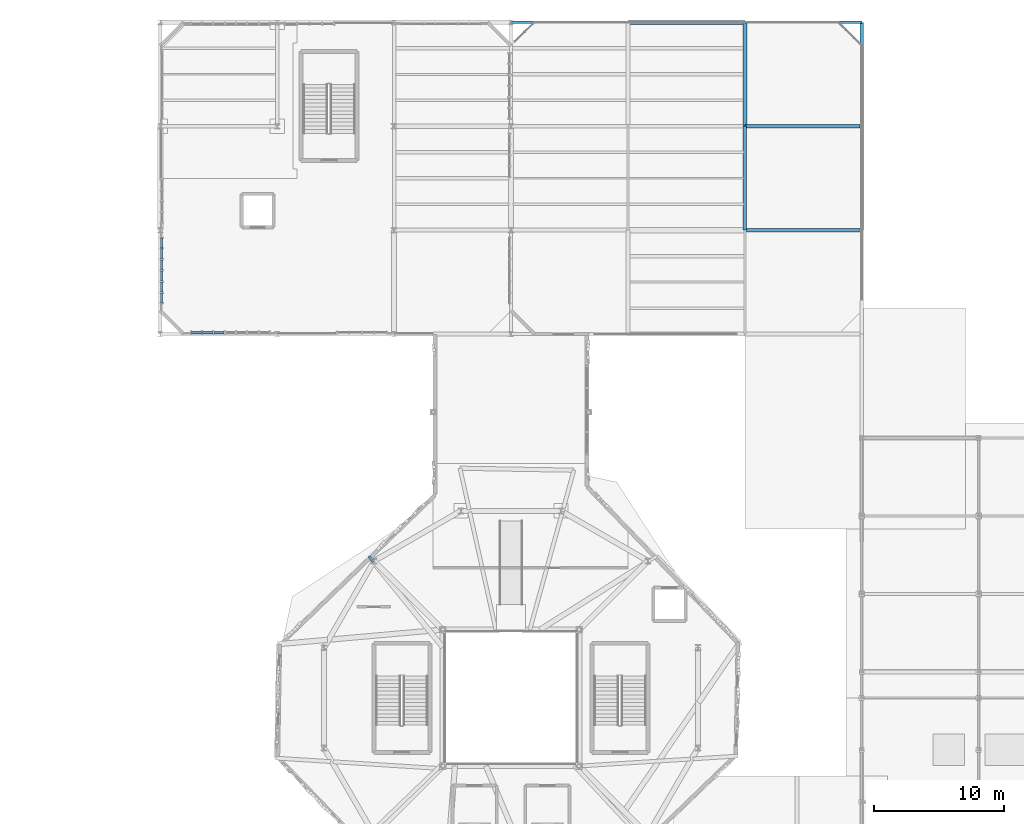
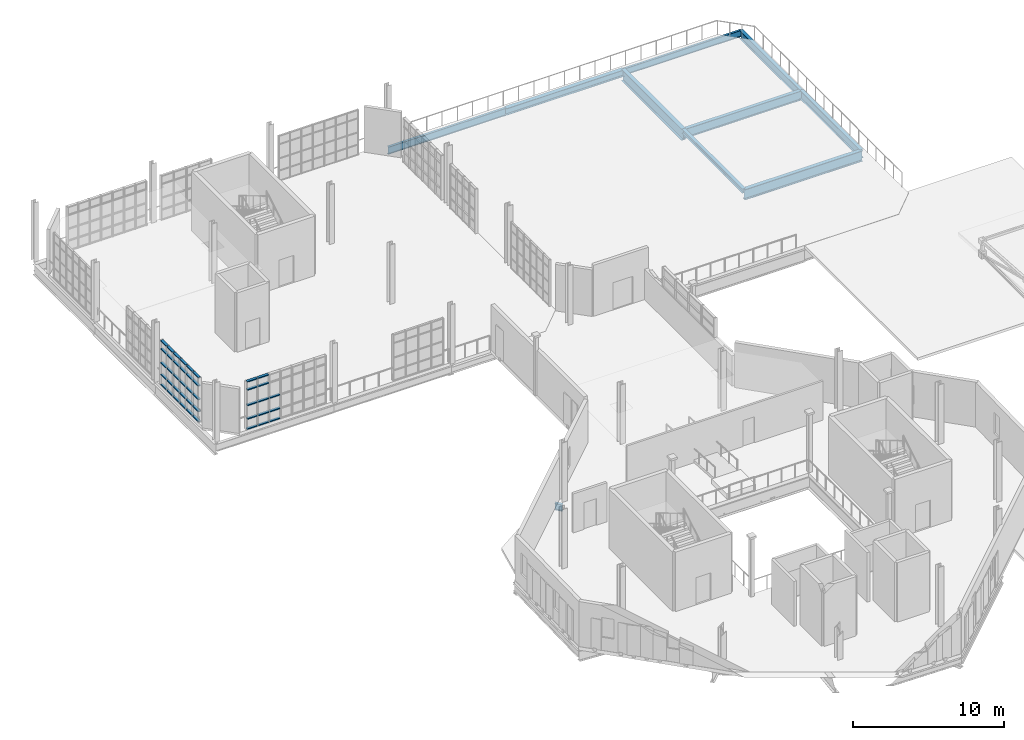
# One storey, part 55 of 85: 43 members, 10 beams, 2 elements without a shape of their own.
"""IFC4 building model written with IfcOpenShell, lengths in metres."""

import ifcopenshell
import ifcopenshell.guid

model = None  # the IFC model being written
_history = None  # IfcOwnerHistory: only IFC2X3 demands one
_inside = {}  # id of a spatial element -> (the spatial element, [elements in it])
_under = {}  # id of a project, library or spatial element -> (it, [spatial elements below it])
_declared = {}  # id of a project -> (the project, [libraries it declares])
_typed = {}  # id of a type object -> (the type object, [elements of that type])
_made_of = {}  # id of a material, layer set ... -> (it, [elements and type objects made of it])


def new_model(schema):
    """Start an empty IFC model of exactly this schema.

    Asked for "IFC4X3", IfcOpenShell would pick the latest addendum, in which some entities
    have other attributes; the version numbers below select the first issue.
    IFC2X3 requires an IfcOwnerHistory on every rooted entity: one is made here for all.
    """
    global model, _history
    if schema == "IFC4X3":
        model = ifcopenshell.file(schema_version=(4, 3, 0, 0))
    else:
        model = ifcopenshell.file(schema=schema)
    _inside.clear()
    _under.clear()
    _declared.clear()
    _typed.clear()
    _made_of.clear()
    _history = None
    if model.schema == "IFC2X3":
        org = make("IfcOrganization", Name="unknown")
        user = make(
            "IfcPersonAndOrganization",
            ThePerson=make("IfcPerson", FamilyName="unknown"),
            TheOrganization=org,
        )
        app = make(
            "IfcApplication",
            ApplicationDeveloper=org,
            Version="unknown",
            ApplicationFullName="unknown",
            ApplicationIdentifier="unknown",
        )
        _history = make(
            "IfcOwnerHistory",
            OwningUser=user,
            OwningApplication=app,
            ChangeAction="ADDED",
            CreationDate=0,
        )
    return model


def make(cls, **values):
    """One entity of the class cls with the attributes given. An attribute that is None is left unset."""
    return model.create_entity(
        cls, **{name: value for name, value in values.items() if value is not None}
    )


def rooted(cls, **values):
    """An entity with a GlobalId (a new one), such as an element, a storey or a relation."""
    return make(cls, GlobalId=ifcopenshell.guid.new(), OwnerHistory=_history, **values)


def si_unit(unit_type, name, prefix=None):
    """IfcSIUnit, for example si_unit("LENGTHUNIT", "METRE", prefix="MILLI")."""
    return make("IfcSIUnit", UnitType=unit_type, Prefix=prefix, Name=name)


def assignment(units):
    """IfcUnitAssignment: the units of a project."""
    return None if units is None else make("IfcUnitAssignment", Units=units)


def point(xyz):
    """IfcCartesianPoint."""
    return None if xyz is None else make("IfcCartesianPoint", Coordinates=xyz)


def direction(xyz):
    """IfcDirection."""
    return None if xyz is None else make("IfcDirection", DirectionRatios=xyz)


def frame(location, z_axis=None, x_axis=None):
    """IfcAxis2Placement3D, a coordinate frame: its origin and axes. An axis left out is left unset."""
    return make(
        "IfcAxis2Placement3D",
        Location=point(location),
        Axis=direction(z_axis),
        RefDirection=direction(x_axis),
    )


def frame_2d(location, x_axis=None):
    """IfcAxis2Placement2D, a coordinate frame in the plane: its origin and x axis."""
    return make(
        "IfcAxis2Placement2D", Location=point(location), RefDirection=direction(x_axis)
    )


def origin():
    """The frame at (0, 0, 0) with its axes left unset."""
    return frame((0.0, 0.0, 0.0))


def origin_2d():
    """The frame at (0, 0) in the plane with its x axis left unset."""
    return frame_2d((0.0, 0.0))


def place(relative_to, where):
    """IfcLocalPlacement: puts the frame where relative to a parent placement (None: the world)."""
    return make(
        "IfcLocalPlacement", PlacementRelTo=relative_to, RelativePlacement=where
    )


def context(
    kind, dimensions, precision=None, world=None, true_north=None, identifier=None
):
    """IfcGeometricRepresentationContext, for example the 3D "Model" context."""
    return make(
        "IfcGeometricRepresentationContext",
        ContextIdentifier=identifier,
        ContextType=kind,
        CoordinateSpaceDimension=dimensions,
        Precision=precision,
        WorldCoordinateSystem=world,
        TrueNorth=true_north,
    )


def subcontext(parent, identifier, kind, view, scale=None):
    """IfcGeometricRepresentationSubContext, for example "Body" below "Model"."""
    return make(
        "IfcGeometricRepresentationSubContext",
        ContextIdentifier=identifier,
        ContextType=kind,
        ParentContext=parent,
        TargetScale=scale,
        TargetView=view,
    )


def project(units=None, contexts=None):
    """IfcProject with its units and contexts."""
    return rooted(
        "IfcProject",
        Name="project",
        RepresentationContexts=contexts,
        UnitsInContext=assignment(units),
    )


def spatial(cls, under=None, at=None, **own):
    """A site, building, storey or space (cls), placed at a placement, below another one or the project."""
    s = rooted(cls, ObjectPlacement=at, **own)
    if under is not None:
        _under.setdefault(under.id(), (under, []))[1].append(s)
    return s


def profile(cls, at=None, kind="AREA", **sizes):
    """A parametric profile (cls). Its sizes go by their IFC names, for example OverallWidth=200.0."""
    return make(cls, ProfileType=kind, Position=at, **sizes)


def hollow_rectangle(**sizes):
    """IfcRectangleHollowProfileDef."""
    return profile("IfcRectangleHollowProfileDef", **sizes)


def i_section(**sizes):
    """IfcIShapeProfileDef."""
    return profile("IfcIShapeProfileDef", **sizes)


def extrude(swept, where, along, depth):
    """IfcExtrudedAreaSolid: the profile swept, set in the frame where, extruded along a direction by depth."""
    return make(
        "IfcExtrudedAreaSolid",
        SweptArea=swept,
        Position=where,
        ExtrudedDirection=direction(along),
        Depth=depth,
    )


def shape(context_of_items, identifier, shape_type, items):
    """IfcShapeRepresentation: the items that make up one representation, for example the "Body"."""
    return make(
        "IfcShapeRepresentation",
        ContextOfItems=context_of_items,
        RepresentationIdentifier=identifier,
        RepresentationType=shape_type,
        Items=items,
    )


def material(Name=None, Category=None):
    """IfcMaterial."""
    return make("IfcMaterial", Name=Name, Category=Category)


def layer(
    of_material, thickness, ventilated=None, Name=None, Category=None, Priority=None
):
    """IfcMaterialLayer: one layer of a wall or slab, of a material (None: an air gap)."""
    return make(
        "IfcMaterialLayer",
        Material=of_material,
        LayerThickness=thickness,
        IsVentilated=ventilated,
        Name=Name,
        Category=Category,
        Priority=Priority,
    )


def layer_set(layers, Name=None):
    """IfcMaterialLayerSet."""
    return make("IfcMaterialLayerSet", MaterialLayers=layers, LayerSetName=Name)


def material_profile(
    of_material, cross_section, Name=None, Category=None, Priority=None
):
    """IfcMaterialProfile: a cross section and its material."""
    return make(
        "IfcMaterialProfile",
        Name=Name,
        Material=of_material,
        Profile=cross_section,
        Priority=Priority,
        Category=Category,
    )


def profile_set(profiles, Name=None, composite=None):
    """IfcMaterialProfileSet."""
    return make(
        "IfcMaterialProfileSet",
        Name=Name,
        MaterialProfiles=profiles,
        CompositeProfile=composite,
    )


def made_of(thing, what):
    """Note that an element or type object is made of a material, layer set ...; save() writes the relation."""
    if what is not None:
        _made_of.setdefault(what.id(), (what, []))[1].append(thing)
    return thing


def type_object(cls, material=None, **own):
    """A type object (cls), such as IfcWallType, which elements share."""
    return made_of(rooted(cls, **own), material)


def element(
    cls,
    number,
    at=None,
    inside=None,
    cuts=None,
    type_object=None,
    material=None,
    context=None,
    identifier="Body",
    shape_type=None,
    held_by="IfcProductDefinitionShape",
    body=None,
    shapes=None,
    **own,
):
    """One element of the class cls, such as IfcWall. Its Tag is "e" and its number.

    at: its placement. inside: the storey or other place that contains it. cuts: it is an
    opening in that element (IfcRelVoidsElement). A single representation is given by context,
    identifier, shape_type and body (its items); several are given by shapes. held_by: the class
    of the entity that holds the representations. save() writes the other relations.
    """
    e = rooted(cls, Tag="e%d" % number, ObjectPlacement=at, **own)
    if body is not None:
        shapes = [shape(context, identifier, shape_type, body)]
    if shapes is not None:
        e.Representation = make(held_by, Representations=shapes)
    if inside is not None:
        _inside.setdefault(inside.id(), (inside, []))[1].append(e)
    if cuts is not None:
        rooted(
            "IfcRelVoidsElement", RelatingBuildingElement=cuts, RelatedOpeningElement=e
        )
    if type_object is not None:
        _typed.setdefault(type_object.id(), (type_object, []))[1].append(e)
    return made_of(e, material)


def aggregate(whole, parts):
    """IfcRelAggregates: a whole, such as a stair, and the parts it consists of."""
    return rooted("IfcRelAggregates", RelatingObject=whole, RelatedObjects=parts)


def save(model, path):
    """Write the relations noted so far, then the file.

    IfcRelAggregates (storeys below a building ...), IfcRelContainedInSpatialStructure (elements
    in a storey), IfcRelDefinesByType, IfcRelAssociatesMaterial and IfcRelDeclares: one each for
    every whole, place, type object, material and project.
    """
    for whole, parts in _under.values():
        aggregate(whole, parts)
    for where, things in _inside.values():
        rooted(
            "IfcRelContainedInSpatialStructure",
            RelatedElements=things,
            RelatingStructure=where,
        )
    for kind, things in _typed.values():
        rooted("IfcRelDefinesByType", RelatedObjects=things, RelatingType=kind)
    for what, things in _made_of.values():
        rooted("IfcRelAssociatesMaterial", RelatedObjects=things, RelatingMaterial=what)
    for by, libraries in _declared.values():
        rooted("IfcRelDeclares", RelatingContext=by, RelatedDefinitions=libraries)
    model.write(path)


model = new_model("IFC4")

# Units and contexts
model_context = context("Model", 3, precision=1e-05, world=origin(), true_north=direction((0.0, 1.0)))
body_context = subcontext(model_context, "Body", "Model", "MODEL_VIEW")
ifc_project = project(units=[si_unit("LENGTHUNIT", "METRE"), si_unit("AREAUNIT", "SQUARE_METRE"), si_unit("VOLUMEUNIT", "CUBIC_METRE"), si_unit("PLANEANGLEUNIT", "RADIAN"), si_unit("MASSUNIT", "GRAM", prefix="KILO"), si_unit("THERMODYNAMICTEMPERATUREUNIT", "KELVIN"), si_unit("POWERUNIT", "WATT")], contexts=[model_context])

# Site, building, storey
site_placement = place(None, origin())
site = spatial("IfcSite", under=ifc_project, at=site_placement, CompositionType="ELEMENT")
building_placement = place(site_placement, origin())
building = spatial("IfcBuilding", under=site, at=building_placement, Name="Zelmaris Science Centre", CompositionType="ELEMENT")
storey_placement = place(building_placement, frame((0.0, 0.0, 20.39990234375)))
storey = spatial("IfcBuildingStorey", under=building, at=storey_placement, Name="L04", CompositionType="ELEMENT", Elevation=20.39990234375)

# Curtain wall, members
ifc_material_1 = material(Name="Anodised architectural aluminium 6063-T6", Category="aluminium")
ifc_layer = layer(ifc_material_1, 0.18994140625, Name="Anodised architectural aluminium 6063-T6")
ifc_layer_set = layer_set([ifc_layer], Name="Anodised architectural aluminium 6063-T6")
curtain_wall_type = type_object("IfcCurtainWallType", Name="Curtain Wall CW-01", PredefinedType="USERDEFINED", material=ifc_layer_set)
curtain_wall_1_placement = place(storey_placement, origin())
curtain_wall_1 = element("IfcCurtainWall", 1, at=curtain_wall_1_placement, inside=storey, type_object=curtain_wall_type, Name="L04 Unitised curtain wall 337", ObjectType="GLAZED CURTAIN WALL", PredefinedType="USERDEFINED")
ifc_material_profile_1 = material_profile(ifc_material_1, hollow_rectangle(XDim=0.080078125, YDim=0.18994140625, WallThickness=0.00439453125, at=origin_2d()), Name="ALU-TRN-80X190")
ifc_profile_set_1 = profile_set([ifc_material_profile_1], Name="Anodised architectural aluminium 6063-T6")
member_type = type_object("IfcMemberType", Name="ALU-TRN-80X190", PredefinedType="USERDEFINED", material=ifc_profile_set_1)
member_1_placement = place(storey_placement, frame((54.1201171875, 66.412109375, 0.02099609375), z_axis=(0.0, 1.0, 0.0), x_axis=(0.0, 0.0, 1.0)))
member_1 = element("IfcMember", 2, at=member_1_placement, type_object=member_type, Name="CW-01 transom 1.1", ObjectType="TRANSOM", PredefinedType="USERDEFINED", context=body_context, shape_type="SweptSolid", body=[
    extrude(hollow_rectangle(XDim=0.080078125, YDim=0.18994140625, WallThickness=0.00439453125, at=origin_2d()), origin(), (0.0, 0.0, 1.0), 0.7451171875),
])
member_2_placement = place(storey_placement, frame((54.1201171875, 66.412109375, 0.835205078125), z_axis=(0.0, 1.0, 0.0), x_axis=(0.0, 0.0, 1.0)))
member_2 = element("IfcMember", 3, at=member_2_placement, type_object=member_type, Name="CW-01 transom 1.2", ObjectType="TRANSOM", PredefinedType="USERDEFINED", context=body_context, shape_type="SweptSolid", body=[
    extrude(hollow_rectangle(XDim=0.080078125, YDim=0.18994140625, WallThickness=0.00439453125, at=origin_2d()), origin(), (0.0, 0.0, 1.0), 0.7451171875),
])
member_3_placement = place(storey_placement, frame((54.1201171875, 66.412109375, 1.794189453125), z_axis=(0.0, 1.0, 0.0), x_axis=(0.0, 0.0, 1.0)))
member_3 = element("IfcMember", 4, at=member_3_placement, type_object=member_type, Name="CW-01 transom 1.3", ObjectType="TRANSOM", PredefinedType="USERDEFINED", context=body_context, shape_type="SweptSolid", body=[
    extrude(hollow_rectangle(XDim=0.080078125, YDim=0.18994140625, WallThickness=0.00439453125, at=origin_2d()), origin(), (0.0, 0.0, 1.0), 0.7451171875),
])
member_4_placement = place(storey_placement, frame((54.1201171875, 66.412109375, 2.903076171875), z_axis=(0.0, 1.0, 0.0), x_axis=(0.0, 0.0, 1.0)))
member_4 = element("IfcMember", 5, at=member_4_placement, type_object=member_type, Name="CW-01 transom 1.4", ObjectType="TRANSOM", PredefinedType="USERDEFINED", context=body_context, shape_type="SweptSolid", body=[
    extrude(hollow_rectangle(XDim=0.080078125, YDim=0.18994140625, WallThickness=0.00439453125, at=origin_2d()), origin(), (0.0, 0.0, 1.0), 0.7451171875),
])
member_5_placement = place(storey_placement, frame((54.1201171875, 66.412109375, 3.567138671875), z_axis=(0.0, 1.0, 0.0), x_axis=(0.0, 0.0, 1.0)))
member_5 = element("IfcMember", 6, at=member_5_placement, type_object=member_type, Name="CW-01 transom 1.5", ObjectType="TRANSOM", PredefinedType="USERDEFINED", context=body_context, shape_type="SweptSolid", body=[
    extrude(hollow_rectangle(XDim=0.080078125, YDim=0.18994140625, WallThickness=0.00439453125, at=origin_2d()), origin(), (0.0, 0.0, 1.0), 0.7451171875),
])
member_6_placement = place(storey_placement, frame((54.1201171875, 67.229248046875, 0.02099609375), z_axis=(0.0, 1.0, 0.0), x_axis=(0.0, 0.0, 1.0)))
member_6 = element("IfcMember", 7, at=member_6_placement, type_object=member_type, Name="CW-01 transom 2.1", ObjectType="TRANSOM", PredefinedType="USERDEFINED", context=body_context, shape_type="SweptSolid", body=[
    extrude(hollow_rectangle(XDim=0.080078125, YDim=0.18994140625, WallThickness=0.00439453125, at=origin_2d()), origin(), (0.0, 0.0, 1.0), 0.781494140625),
])
member_7_placement = place(storey_placement, frame((54.1201171875, 67.229248046875, 0.835205078125), z_axis=(0.0, 1.0, 0.0), x_axis=(0.0, 0.0, 1.0)))
member_7 = element("IfcMember", 8, at=member_7_placement, type_object=member_type, Name="CW-01 transom 2.2", ObjectType="TRANSOM", PredefinedType="USERDEFINED", context=body_context, shape_type="SweptSolid", body=[
    extrude(hollow_rectangle(XDim=0.080078125, YDim=0.18994140625, WallThickness=0.00439453125, at=origin_2d()), origin(), (0.0, 0.0, 1.0), 0.781494140625),
])
member_8_placement = place(storey_placement, frame((54.1201171875, 67.229248046875, 1.794189453125), z_axis=(0.0, 1.0, 0.0), x_axis=(0.0, 0.0, 1.0)))
member_8 = element("IfcMember", 9, at=member_8_placement, type_object=member_type, Name="CW-01 transom 2.3", ObjectType="TRANSOM", PredefinedType="USERDEFINED", context=body_context, shape_type="SweptSolid", body=[
    extrude(hollow_rectangle(XDim=0.080078125, YDim=0.18994140625, WallThickness=0.00439453125, at=origin_2d()), origin(), (0.0, 0.0, 1.0), 0.781494140625),
])
member_9_placement = place(storey_placement, frame((54.1201171875, 67.229248046875, 2.903076171875), z_axis=(0.0, 1.0, 0.0), x_axis=(0.0, 0.0, 1.0)))
member_9 = element("IfcMember", 10, at=member_9_placement, type_object=member_type, Name="CW-01 transom 2.4", ObjectType="TRANSOM", PredefinedType="USERDEFINED", context=body_context, shape_type="SweptSolid", body=[
    extrude(hollow_rectangle(XDim=0.080078125, YDim=0.18994140625, WallThickness=0.00439453125, at=origin_2d()), origin(), (0.0, 0.0, 1.0), 0.781494140625),
])
member_10_placement = place(storey_placement, frame((54.1201171875, 67.229248046875, 3.567138671875), z_axis=(0.0, 1.0, 0.0), x_axis=(0.0, 0.0, 1.0)))
member_10 = element("IfcMember", 11, at=member_10_placement, type_object=member_type, Name="CW-01 transom 2.5", ObjectType="TRANSOM", PredefinedType="USERDEFINED", context=body_context, shape_type="SweptSolid", body=[
    extrude(hollow_rectangle(XDim=0.080078125, YDim=0.18994140625, WallThickness=0.00439453125, at=origin_2d()), origin(), (0.0, 0.0, 1.0), 0.781494140625),
])
member_11_placement = place(storey_placement, frame((54.1201171875, 68.082763671875, 0.02099609375), z_axis=(0.0, 1.0, 0.0), x_axis=(0.0, 0.0, 1.0)))
member_11 = element("IfcMember", 12, at=member_11_placement, type_object=member_type, Name="CW-01 transom 3.1", ObjectType="TRANSOM", PredefinedType="USERDEFINED", context=body_context, shape_type="SweptSolid", body=[
    extrude(hollow_rectangle(XDim=0.080078125, YDim=0.18994140625, WallThickness=0.00439453125, at=origin_2d()), origin(), (0.0, 0.0, 1.0), 0.78125),
])
member_12_placement = place(storey_placement, frame((54.1201171875, 68.082763671875, 0.835205078125), z_axis=(0.0, 1.0, 0.0), x_axis=(0.0, 0.0, 1.0)))
member_12 = element("IfcMember", 13, at=member_12_placement, type_object=member_type, Name="CW-01 transom 3.2", ObjectType="TRANSOM", PredefinedType="USERDEFINED", context=body_context, shape_type="SweptSolid", body=[
    extrude(hollow_rectangle(XDim=0.080078125, YDim=0.18994140625, WallThickness=0.00439453125, at=origin_2d()), origin(), (0.0, 0.0, 1.0), 0.78125),
])
member_13_placement = place(storey_placement, frame((54.1201171875, 68.082763671875, 1.794189453125), z_axis=(0.0, 1.0, 0.0), x_axis=(0.0, 0.0, 1.0)))
member_13 = element("IfcMember", 14, at=member_13_placement, type_object=member_type, Name="CW-01 transom 3.3", ObjectType="TRANSOM", PredefinedType="USERDEFINED", context=body_context, shape_type="SweptSolid", body=[
    extrude(hollow_rectangle(XDim=0.080078125, YDim=0.18994140625, WallThickness=0.00439453125, at=origin_2d()), origin(), (0.0, 0.0, 1.0), 0.78125),
])
member_14_placement = place(storey_placement, frame((54.1201171875, 68.082763671875, 2.903076171875), z_axis=(0.0, 1.0, 0.0), x_axis=(0.0, 0.0, 1.0)))
member_14 = element("IfcMember", 15, at=member_14_placement, type_object=member_type, Name="CW-01 transom 3.4", ObjectType="TRANSOM", PredefinedType="USERDEFINED", context=body_context, shape_type="SweptSolid", body=[
    extrude(hollow_rectangle(XDim=0.080078125, YDim=0.18994140625, WallThickness=0.00439453125, at=origin_2d()), origin(), (0.0, 0.0, 1.0), 0.78125),
])
member_15_placement = place(storey_placement, frame((54.1201171875, 68.082763671875, 3.567138671875), z_axis=(0.0, 1.0, 0.0), x_axis=(0.0, 0.0, 1.0)))
member_15 = element("IfcMember", 16, at=member_15_placement, type_object=member_type, Name="CW-01 transom 3.5", ObjectType="TRANSOM", PredefinedType="USERDEFINED", context=body_context, shape_type="SweptSolid", body=[
    extrude(hollow_rectangle(XDim=0.080078125, YDim=0.18994140625, WallThickness=0.00439453125, at=origin_2d()), origin(), (0.0, 0.0, 1.0), 0.78125),
])
member_16_placement = place(storey_placement, frame((54.1201171875, 68.93603515625, 0.02099609375), z_axis=(0.0, 1.0, 0.0), x_axis=(0.0, 0.0, 1.0)))
member_16 = element("IfcMember", 17, at=member_16_placement, type_object=member_type, Name="CW-01 transom 4.1", ObjectType="TRANSOM", PredefinedType="USERDEFINED", context=body_context, shape_type="SweptSolid", body=[
    extrude(hollow_rectangle(XDim=0.080078125, YDim=0.18994140625, WallThickness=0.00439453125, at=origin_2d()), origin(), (0.0, 0.0, 1.0), 0.78125),
])
member_17_placement = place(storey_placement, frame((54.1201171875, 68.93603515625, 0.835205078125), z_axis=(0.0, 1.0, 0.0), x_axis=(0.0, 0.0, 1.0)))
member_17 = element("IfcMember", 18, at=member_17_placement, type_object=member_type, Name="CW-01 transom 4.2", ObjectType="TRANSOM", PredefinedType="USERDEFINED", context=body_context, shape_type="SweptSolid", body=[
    extrude(hollow_rectangle(XDim=0.080078125, YDim=0.18994140625, WallThickness=0.00439453125, at=origin_2d()), origin(), (0.0, 0.0, 1.0), 0.78125),
])
member_18_placement = place(storey_placement, frame((54.1201171875, 68.93603515625, 1.794189453125), z_axis=(0.0, 1.0, 0.0), x_axis=(0.0, 0.0, 1.0)))
member_18 = element("IfcMember", 19, at=member_18_placement, type_object=member_type, Name="CW-01 transom 4.3", ObjectType="TRANSOM", PredefinedType="USERDEFINED", context=body_context, shape_type="SweptSolid", body=[
    extrude(hollow_rectangle(XDim=0.080078125, YDim=0.18994140625, WallThickness=0.00439453125, at=origin_2d()), origin(), (0.0, 0.0, 1.0), 0.78125),
])
member_19_placement = place(storey_placement, frame((54.1201171875, 68.93603515625, 2.903076171875), z_axis=(0.0, 1.0, 0.0), x_axis=(0.0, 0.0, 1.0)))
member_19 = element("IfcMember", 20, at=member_19_placement, type_object=member_type, Name="CW-01 transom 4.4", ObjectType="TRANSOM", PredefinedType="USERDEFINED", context=body_context, shape_type="SweptSolid", body=[
    extrude(hollow_rectangle(XDim=0.080078125, YDim=0.18994140625, WallThickness=0.00439453125, at=origin_2d()), origin(), (0.0, 0.0, 1.0), 0.78125),
])
member_20_placement = place(storey_placement, frame((54.1201171875, 68.93603515625, 3.567138671875), z_axis=(0.0, 1.0, 0.0), x_axis=(0.0, 0.0, 1.0)))
member_20 = element("IfcMember", 21, at=member_20_placement, type_object=member_type, Name="CW-01 transom 4.5", ObjectType="TRANSOM", PredefinedType="USERDEFINED", context=body_context, shape_type="SweptSolid", body=[
    extrude(hollow_rectangle(XDim=0.080078125, YDim=0.18994140625, WallThickness=0.00439453125, at=origin_2d()), origin(), (0.0, 0.0, 1.0), 0.78125),
])
member_21_placement = place(storey_placement, frame((54.1201171875, 69.789306640625, 0.02099609375), z_axis=(0.0, 1.0, 0.0), x_axis=(0.0, 0.0, 1.0)))
member_21 = element("IfcMember", 22, at=member_21_placement, type_object=member_type, Name="CW-01 transom 5.1", ObjectType="TRANSOM", PredefinedType="USERDEFINED", context=body_context, shape_type="SweptSolid", body=[
    extrude(hollow_rectangle(XDim=0.080078125, YDim=0.18994140625, WallThickness=0.00439453125, at=origin_2d()), origin(), (0.0, 0.0, 1.0), 0.78125),
])
member_22_placement = place(storey_placement, frame((54.1201171875, 69.789306640625, 0.835205078125), z_axis=(0.0, 1.0, 0.0), x_axis=(0.0, 0.0, 1.0)))
member_22 = element("IfcMember", 23, at=member_22_placement, type_object=member_type, Name="CW-01 transom 5.2", ObjectType="TRANSOM", PredefinedType="USERDEFINED", context=body_context, shape_type="SweptSolid", body=[
    extrude(hollow_rectangle(XDim=0.080078125, YDim=0.18994140625, WallThickness=0.00439453125, at=origin_2d()), origin(), (0.0, 0.0, 1.0), 0.78125),
])
member_23_placement = place(storey_placement, frame((54.1201171875, 69.789306640625, 1.794189453125), z_axis=(0.0, 1.0, 0.0), x_axis=(0.0, 0.0, 1.0)))
member_23 = element("IfcMember", 24, at=member_23_placement, type_object=member_type, Name="CW-01 transom 5.3", ObjectType="TRANSOM", PredefinedType="USERDEFINED", context=body_context, shape_type="SweptSolid", body=[
    extrude(hollow_rectangle(XDim=0.080078125, YDim=0.18994140625, WallThickness=0.00439453125, at=origin_2d()), origin(), (0.0, 0.0, 1.0), 0.78125),
])
member_24_placement = place(storey_placement, frame((54.1201171875, 69.789306640625, 2.903076171875), z_axis=(0.0, 1.0, 0.0), x_axis=(0.0, 0.0, 1.0)))
member_24 = element("IfcMember", 25, at=member_24_placement, type_object=member_type, Name="CW-01 transom 5.4", ObjectType="TRANSOM", PredefinedType="USERDEFINED", context=body_context, shape_type="SweptSolid", body=[
    extrude(hollow_rectangle(XDim=0.080078125, YDim=0.18994140625, WallThickness=0.00439453125, at=origin_2d()), origin(), (0.0, 0.0, 1.0), 0.78125),
])
member_25_placement = place(storey_placement, frame((54.1201171875, 69.789306640625, 3.567138671875), z_axis=(0.0, 1.0, 0.0), x_axis=(0.0, 0.0, 1.0)))
member_25 = element("IfcMember", 26, at=member_25_placement, type_object=member_type, Name="CW-01 transom 5.5", ObjectType="TRANSOM", PredefinedType="USERDEFINED", context=body_context, shape_type="SweptSolid", body=[
    extrude(hollow_rectangle(XDim=0.080078125, YDim=0.18994140625, WallThickness=0.00439453125, at=origin_2d()), origin(), (0.0, 0.0, 1.0), 0.78125),
])
member_26_placement = place(storey_placement, frame((54.1201171875, 70.642578125, 0.02099609375), z_axis=(0.0, 1.0, 0.0), x_axis=(0.0, 0.0, 1.0)))
member_26 = element("IfcMember", 27, at=member_26_placement, type_object=member_type, Name="CW-01 transom 6.1", ObjectType="TRANSOM", PredefinedType="USERDEFINED", context=body_context, shape_type="SweptSolid", body=[
    extrude(hollow_rectangle(XDim=0.080078125, YDim=0.18994140625, WallThickness=0.00439453125, at=origin_2d()), origin(), (0.0, 0.0, 1.0), 0.745361328125),
])
member_27_placement = place(storey_placement, frame((54.1201171875, 70.642578125, 0.835205078125), z_axis=(0.0, 1.0, 0.0), x_axis=(0.0, 0.0, 1.0)))
member_27 = element("IfcMember", 28, at=member_27_placement, type_object=member_type, Name="CW-01 transom 6.2", ObjectType="TRANSOM", PredefinedType="USERDEFINED", context=body_context, shape_type="SweptSolid", body=[
    extrude(hollow_rectangle(XDim=0.080078125, YDim=0.18994140625, WallThickness=0.00439453125, at=origin_2d()), origin(), (0.0, 0.0, 1.0), 0.745361328125),
])
member_28_placement = place(storey_placement, frame((54.1201171875, 70.642578125, 1.794189453125), z_axis=(0.0, 1.0, 0.0), x_axis=(0.0, 0.0, 1.0)))
member_28 = element("IfcMember", 29, at=member_28_placement, type_object=member_type, Name="CW-01 transom 6.3", ObjectType="TRANSOM", PredefinedType="USERDEFINED", context=body_context, shape_type="SweptSolid", body=[
    extrude(hollow_rectangle(XDim=0.080078125, YDim=0.18994140625, WallThickness=0.00439453125, at=origin_2d()), origin(), (0.0, 0.0, 1.0), 0.745361328125),
])
member_29_placement = place(storey_placement, frame((54.1201171875, 70.642578125, 2.903076171875), z_axis=(0.0, 1.0, 0.0), x_axis=(0.0, 0.0, 1.0)))
member_29 = element("IfcMember", 30, at=member_29_placement, type_object=member_type, Name="CW-01 transom 6.4", ObjectType="TRANSOM", PredefinedType="USERDEFINED", context=body_context, shape_type="SweptSolid", body=[
    extrude(hollow_rectangle(XDim=0.080078125, YDim=0.18994140625, WallThickness=0.00439453125, at=origin_2d()), origin(), (0.0, 0.0, 1.0), 0.745361328125),
])
member_30_placement = place(storey_placement, frame((54.1201171875, 70.642578125, 3.567138671875), z_axis=(0.0, 1.0, 0.0), x_axis=(0.0, 0.0, 1.0)))
member_30 = element("IfcMember", 31, at=member_30_placement, type_object=member_type, Name="CW-01 transom 6.5", ObjectType="TRANSOM", PredefinedType="USERDEFINED", context=body_context, shape_type="SweptSolid", body=[
    extrude(hollow_rectangle(XDim=0.080078125, YDim=0.18994140625, WallThickness=0.00439453125, at=origin_2d()), origin(), (0.0, 0.0, 1.0), 0.745361328125),
])
aggregate(curtain_wall_1, [member_1, member_2, member_3, member_4, member_5, member_6, member_7, member_8, member_9, member_10, member_11, member_12, member_13, member_14, member_15, member_16, member_17, member_18, member_19, member_20, member_21, member_22, member_23, member_24, member_25, member_26, member_27, member_28, member_29, member_30])

curtain_wall_2_placement = place(storey_placement, origin())
curtain_wall_2 = element("IfcCurtainWall", 32, at=curtain_wall_2_placement, inside=storey, type_object=curtain_wall_type, Name="L04 Unitised curtain wall 357", ObjectType="GLAZED CURTAIN WALL", PredefinedType="USERDEFINED")
member_31_placement = place(storey_placement, frame((58.9267578125, 64.1201171875, 0.02099609375), z_axis=(-1.0, 0.0, 0.0), x_axis=(0.0, 0.0, 1.0)))
member_31 = element("IfcMember", 33, at=member_31_placement, type_object=member_type, Name="CW-01 transom 5.1", ObjectType="TRANSOM", PredefinedType="USERDEFINED", context=body_context, shape_type="SweptSolid", body=[
    extrude(hollow_rectangle(XDim=0.080078125, YDim=0.18994140625, WallThickness=0.00439453125, at=origin_2d()), origin(), (0.0, 0.0, 1.0), 0.80224609375),
])
member_32_placement = place(storey_placement, frame((58.9267578125, 64.1201171875, 0.835205078125), z_axis=(-1.0, 0.0, 0.0), x_axis=(0.0, 0.0, 1.0)))
member_32 = element("IfcMember", 34, at=member_32_placement, type_object=member_type, Name="CW-01 transom 5.2", ObjectType="TRANSOM", PredefinedType="USERDEFINED", context=body_context, shape_type="SweptSolid", body=[
    extrude(hollow_rectangle(XDim=0.080078125, YDim=0.18994140625, WallThickness=0.00439453125, at=origin_2d()), origin(), (0.0, 0.0, 1.0), 0.80224609375),
])
member_33_placement = place(storey_placement, frame((58.9267578125, 64.1201171875, 1.9365234375), z_axis=(-1.0, 0.0, 0.0), x_axis=(0.0, 0.0, 1.0)))
member_33 = element("IfcMember", 35, at=member_33_placement, type_object=member_type, Name="CW-01 transom 5.3", ObjectType="TRANSOM", PredefinedType="USERDEFINED", context=body_context, shape_type="SweptSolid", body=[
    extrude(hollow_rectangle(XDim=0.080078125, YDim=0.18994140625, WallThickness=0.00439453125, at=origin_2d()), origin(), (0.0, 0.0, 1.0), 0.80224609375),
])
member_34_placement = place(storey_placement, frame((58.052490234375, 64.1201171875, 0.02099609375), z_axis=(-1.0, 0.0, 0.0), x_axis=(0.0, 0.0, 1.0)))
member_34 = element("IfcMember", 36, at=member_34_placement, type_object=member_type, Name="CW-01 transom 6.1", ObjectType="TRANSOM", PredefinedType="USERDEFINED", context=body_context, shape_type="SweptSolid", body=[
    extrude(hollow_rectangle(XDim=0.080078125, YDim=0.18994140625, WallThickness=0.00439453125, at=origin_2d()), origin(), (0.0, 0.0, 1.0), 0.80224609375),
])
member_35_placement = place(storey_placement, frame((58.052490234375, 64.1201171875, 0.835205078125), z_axis=(-1.0, 0.0, 0.0), x_axis=(0.0, 0.0, 1.0)))
member_35 = element("IfcMember", 37, at=member_35_placement, type_object=member_type, Name="CW-01 transom 6.2", ObjectType="TRANSOM", PredefinedType="USERDEFINED", context=body_context, shape_type="SweptSolid", body=[
    extrude(hollow_rectangle(XDim=0.080078125, YDim=0.18994140625, WallThickness=0.00439453125, at=origin_2d()), origin(), (0.0, 0.0, 1.0), 0.80224609375),
])
member_36_placement = place(storey_placement, frame((58.052490234375, 64.1201171875, 1.9365234375), z_axis=(-1.0, 0.0, 0.0), x_axis=(0.0, 0.0, 1.0)))
member_36 = element("IfcMember", 38, at=member_36_placement, type_object=member_type, Name="CW-01 transom 6.3", ObjectType="TRANSOM", PredefinedType="USERDEFINED", context=body_context, shape_type="SweptSolid", body=[
    extrude(hollow_rectangle(XDim=0.080078125, YDim=0.18994140625, WallThickness=0.00439453125, at=origin_2d()), origin(), (0.0, 0.0, 1.0), 0.80224609375),
])
member_37_placement = place(storey_placement, frame((58.052490234375, 64.1201171875, 3.18798828125), z_axis=(-1.0, 0.0, 0.0), x_axis=(0.0, 0.0, 1.0)))
member_37 = element("IfcMember", 39, at=member_37_placement, type_object=member_type, Name="CW-01 transom 6.4", ObjectType="TRANSOM", PredefinedType="USERDEFINED", context=body_context, shape_type="SweptSolid", body=[
    extrude(hollow_rectangle(XDim=0.080078125, YDim=0.18994140625, WallThickness=0.00439453125, at=origin_2d()), origin(), (0.0, 0.0, 1.0), 0.80224609375),
])
member_38_placement = place(storey_placement, frame((58.052490234375, 64.1201171875, 3.85205078125), z_axis=(-1.0, 0.0, 0.0), x_axis=(0.0, 0.0, 1.0)))
member_38 = element("IfcMember", 40, at=member_38_placement, type_object=member_type, Name="CW-01 transom 6.5", ObjectType="TRANSOM", PredefinedType="USERDEFINED", context=body_context, shape_type="SweptSolid", body=[
    extrude(hollow_rectangle(XDim=0.080078125, YDim=0.18994140625, WallThickness=0.00439453125, at=origin_2d()), origin(), (0.0, 0.0, 1.0), 0.80224609375),
])
member_39_placement = place(storey_placement, frame((57.17822265625, 64.1201171875, 0.02099609375), z_axis=(-1.0, 0.0, 0.0), x_axis=(0.0, 0.0, 1.0)))
member_39 = element("IfcMember", 41, at=member_39_placement, type_object=member_type, Name="CW-01 transom 7.1", ObjectType="TRANSOM", PredefinedType="USERDEFINED", context=body_context, shape_type="SweptSolid", body=[
    extrude(hollow_rectangle(XDim=0.080078125, YDim=0.18994140625, WallThickness=0.00439453125, at=origin_2d()), origin(), (0.0, 0.0, 1.0), 0.76611328125),
])
member_40_placement = place(storey_placement, frame((57.17822265625, 64.1201171875, 0.835205078125), z_axis=(-1.0, 0.0, 0.0), x_axis=(0.0, 0.0, 1.0)))
member_40 = element("IfcMember", 42, at=member_40_placement, type_object=member_type, Name="CW-01 transom 7.2", ObjectType="TRANSOM", PredefinedType="USERDEFINED", context=body_context, shape_type="SweptSolid", body=[
    extrude(hollow_rectangle(XDim=0.080078125, YDim=0.18994140625, WallThickness=0.00439453125, at=origin_2d()), origin(), (0.0, 0.0, 1.0), 0.76611328125),
])
member_41_placement = place(storey_placement, frame((57.17822265625, 64.1201171875, 1.9365234375), z_axis=(-1.0, 0.0, 0.0), x_axis=(0.0, 0.0, 1.0)))
member_41 = element("IfcMember", 43, at=member_41_placement, type_object=member_type, Name="CW-01 transom 7.3", ObjectType="TRANSOM", PredefinedType="USERDEFINED", context=body_context, shape_type="SweptSolid", body=[
    extrude(hollow_rectangle(XDim=0.080078125, YDim=0.18994140625, WallThickness=0.00439453125, at=origin_2d()), origin(), (0.0, 0.0, 1.0), 0.76611328125),
])
member_42_placement = place(storey_placement, frame((57.17822265625, 64.1201171875, 3.18798828125), z_axis=(-1.0, 0.0, 0.0), x_axis=(0.0, 0.0, 1.0)))
member_42 = element("IfcMember", 44, at=member_42_placement, type_object=member_type, Name="CW-01 transom 7.4", ObjectType="TRANSOM", PredefinedType="USERDEFINED", context=body_context, shape_type="SweptSolid", body=[
    extrude(hollow_rectangle(XDim=0.080078125, YDim=0.18994140625, WallThickness=0.00439453125, at=origin_2d()), origin(), (0.0, 0.0, 1.0), 0.76611328125),
])
member_43_placement = place(storey_placement, frame((57.17822265625, 64.1201171875, 3.85205078125), z_axis=(-1.0, 0.0, 0.0), x_axis=(0.0, 0.0, 1.0)))
member_43 = element("IfcMember", 45, at=member_43_placement, type_object=member_type, Name="CW-01 transom 7.5", ObjectType="TRANSOM", PredefinedType="USERDEFINED", context=body_context, shape_type="SweptSolid", body=[
    extrude(hollow_rectangle(XDim=0.080078125, YDim=0.18994140625, WallThickness=0.00439453125, at=origin_2d()), origin(), (0.0, 0.0, 1.0), 0.76611328125),
])
aggregate(curtain_wall_2, [member_31, member_32, member_33, member_34, member_35, member_36, member_37, member_38, member_39, member_40, member_41, member_42, member_43])

# Beams
ifc_material_2 = material(Name="Steel ASTM A992 Grade 50", Category="steel")
ifc_material_profile_2 = material_profile(ifc_material_2, i_section(OverallWidth=0.306884765625, OverallDepth=0.927001953125, WebThickness=0.019287109375, FlangeThickness=0.031982421875, FilletRadius=0.02392578125, at=origin_2d()), Name="W36X194")
ifc_profile_set_2 = profile_set([ifc_material_profile_2], Name="Steel ASTM A992 Grade 50")
beam_type_1 = type_object("IfcBeamType", Name="Beam G-03 W36X194", PredefinedType="BEAM", material=ifc_profile_set_2)
beam_1_placement = place(storey_placement, frame((99.0, 80.0, -0.71337890625), z_axis=(0.0, 1.0, 0.0), x_axis=(-1.0, 0.0, 0.0)))
element("IfcBeam", 46, at=beam_1_placement, inside=storey, type_object=beam_type_1, Name="L04 North-south girder 837", PredefinedType="BEAM", context=body_context, shape_type="SweptSolid", body=[
    extrude(i_section(OverallWidth=0.306884765625, OverallDepth=0.927001953125, WebThickness=0.019287109375, FlangeThickness=0.031982421875, FilletRadius=0.02392578125, at=origin_2d()), origin(), (0.0, 0.0, 1.0), 8.0),
])
ifc_material_profile_3 = material_profile(ifc_material_2, i_section(OverallWidth=0.257080078125, OverallDepth=0.693115234375, WebThickness=0.014404296875, FlangeThickness=0.023681640625, FilletRadius=0.01806640625, at=origin_2d()), Name="W27X114")
ifc_profile_set_3 = profile_set([ifc_material_profile_3], Name="Steel ASTM A992 Grade 50")
beam_type_2 = type_object("IfcBeamType", Name="Beam G-12 W27X114", PredefinedType="BEAM", material=ifc_profile_set_3)
beam_2_placement = place(storey_placement, frame((108.0, 72.0, -0.596435546875), z_axis=(0.0, 1.0, 0.0), x_axis=(-1.0, 0.0, 0.0)))
element("IfcBeam", 47, at=beam_2_placement, inside=storey, type_object=beam_type_2, Name="L04 North-south girder 843", PredefinedType="BEAM", context=body_context, shape_type="SweptSolid", body=[
    extrude(i_section(OverallWidth=0.257080078125, OverallDepth=0.693115234375, WebThickness=0.014404296875, FlangeThickness=0.023681640625, FilletRadius=0.01806640625, at=origin_2d()), origin(), (0.0, 0.0, 1.0), 8.0),
])
ifc_material_profile_4 = material_profile(ifc_material_2, i_section(OverallWidth=0.25390625, OverallDepth=0.68310546875, WebThickness=0.012451171875, FlangeThickness=0.018798828125, FilletRadius=0.01806640625, at=origin_2d()), Name="W27X94")
ifc_profile_set_4 = profile_set([ifc_material_profile_4], Name="Steel ASTM A992 Grade 50")
beam_type_3 = type_object("IfcBeamType", Name="Beam G-13 W27X94", PredefinedType="BEAM", material=ifc_profile_set_4)
beam_3_placement = place(storey_placement, frame((108.0, 80.0, -0.59130859375), z_axis=(0.0, 1.0, 0.0), x_axis=(-1.0, 0.0, 0.0)))
element("IfcBeam", 48, at=beam_3_placement, inside=storey, type_object=beam_type_3, Name="L04 North-south girder 844", PredefinedType="BEAM", context=body_context, shape_type="SweptSolid", body=[
    extrude(i_section(OverallWidth=0.25390625, OverallDepth=0.68310546875, WebThickness=0.012451171875, FlangeThickness=0.018798828125, FilletRadius=0.01806640625, at=origin_2d()), origin(), (0.0, 0.0, 1.0), 8.0),
])
ifc_material_profile_5 = material_profile(ifc_material_2, i_section(OverallWidth=0.2109375, OverallDepth=0.5380859375, WebThickness=0.01171875, FlangeThickness=0.018798828125, FilletRadius=0.013916015625, at=origin_2d()), Name="W21X73")
ifc_profile_set_5 = profile_set([ifc_material_profile_5], Name="Steel ASTM A992 Grade 50")
beam_type_4 = type_object("IfcBeamType", Name="Beam G-19 W21X73", PredefinedType="BEAM", material=ifc_profile_set_5)
beam_4_placement = place(storey_placement, frame((70.3994140625, 46.4833984375, -0.548828125), z_axis=(-0.630643791577, 0.776072424549, 0.0), x_axis=(-0.776072424549, -0.630643791577, 0.0)))
element("IfcBeam", 49, at=beam_4_placement, inside=storey, type_object=beam_type_4, Name="L04 Radial overhang girder 8", PredefinedType="BEAM", context=body_context, shape_type="SweptSolid", body=[
    extrude(i_section(OverallWidth=0.2109375, OverallDepth=0.5380859375, WebThickness=0.01171875, FlangeThickness=0.018798828125, FilletRadius=0.013916015625, at=origin_2d()), origin(), (0.0, 0.0, 1.0), 0.538818359375),
])
ifc_material_profile_6 = material_profile(ifc_material_2, i_section(OverallWidth=0.2919921875, OverallDepth=0.85888671875, WebThickness=0.01708984375, FlangeThickness=0.031005859375, FilletRadius=0.02001953125, at=origin_2d()), Name="W33X169")
ifc_profile_set_6 = profile_set([ifc_material_profile_6], Name="Steel ASTM A992 Grade 50")
beam_type_5 = type_object("IfcBeamType", Name="Beam G-29 W33X169", PredefinedType="BEAM", material=ifc_profile_set_6)
beam_5_placement = place(storey_placement, frame((99.0, 72.0, -0.679443359375), z_axis=(1.0, 0.0, 0.0), x_axis=(0.0, 1.0, 0.0)))
element("IfcBeam", 50, at=beam_5_placement, inside=storey, type_object=beam_type_5, Name="L04 East-west girder 855", PredefinedType="BEAM", context=body_context, shape_type="SweptSolid", body=[
    extrude(i_section(OverallWidth=0.2919921875, OverallDepth=0.85888671875, WebThickness=0.01708984375, FlangeThickness=0.031005859375, FilletRadius=0.02001953125, at=origin_2d()), origin(), (0.0, 0.0, 1.0), 9.0),
])
ifc_material_profile_7 = material_profile(ifc_material_2, i_section(OverallWidth=0.26708984375, OverallDepth=0.75390625, WebThickness=0.01318359375, FlangeThickness=0.01708984375, FilletRadius=0.01904296875, at=origin_2d()), Name="W30X99")
ifc_profile_set_7 = profile_set([ifc_material_profile_7], Name="Steel ASTM A992 Grade 50")
beam_type_6 = type_object("IfcBeamType", Name="Beam G-34 W30X99", PredefinedType="BEAM", material=ifc_profile_set_7)
beam_6_placement = place(storey_placement, frame((99.0, 80.0, -0.626953125), z_axis=(1.0, 0.0, 0.0), x_axis=(0.0, 1.0, 0.0)))
element("IfcBeam", 51, at=beam_6_placement, inside=storey, type_object=beam_type_6, Name="L04 East-west girder 860", PredefinedType="BEAM", context=body_context, shape_type="SweptSolid", body=[
    extrude(i_section(OverallWidth=0.26708984375, OverallDepth=0.75390625, WebThickness=0.01318359375, FlangeThickness=0.01708984375, FilletRadius=0.01904296875, at=origin_2d()), origin(), (0.0, 0.0, 1.0), 9.0),
])
ifc_material_profile_8 = material_profile(ifc_material_2, i_section(OverallWidth=0.177978515625, OverallDepth=0.59912109375, WebThickness=0.010009765625, FlangeThickness=0.0126953125, FilletRadius=0.014892578125, at=origin_2d()), Name="W24X55")
ifc_profile_set_8 = profile_set([ifc_material_profile_8], Name="Steel ASTM A992 Grade 50")
beam_type_7 = type_object("IfcBeamType", Name="Beam G-38 W24X55", PredefinedType="BEAM", material=ifc_profile_set_8)
beam_7_placement = place(storey_placement, frame((81.0, 88.0, -0.54931640625), z_axis=(1.0, 0.0, 0.0), x_axis=(0.0, 1.0, 0.0)))
element("IfcBeam", 52, at=beam_7_placement, inside=storey, type_object=beam_type_7, Name="L04 East-west girder 864", PredefinedType="BEAM", context=body_context, shape_type="SweptSolid", body=[
    extrude(i_section(OverallWidth=0.177978515625, OverallDepth=0.59912109375, WebThickness=0.010009765625, FlangeThickness=0.0126953125, FilletRadius=0.014892578125, at=origin_2d()), origin(), (0.0, 0.0, 1.0), 9.0),
])
ifc_material_profile_9 = material_profile(ifc_material_2, i_section(OverallWidth=0.31201171875, OverallDepth=0.5458984375, WebThickness=0.013916015625, FlangeThickness=0.022216796875, FilletRadius=0.013916015625, at=origin_2d()), Name="W21X111")
ifc_profile_set_9 = profile_set([ifc_material_profile_9], Name="Steel ASTM A992 Grade 50")
beam_type_8 = type_object("IfcBeamType", Name="Beam G-39 W21X111", PredefinedType="BEAM", material=ifc_profile_set_9)
beam_8_placement = place(storey_placement, frame((90.0, 88.0, -0.52294921875), z_axis=(1.0, 0.0, 0.0), x_axis=(0.0, 1.0, 0.0)))
element("IfcBeam", 53, at=beam_8_placement, inside=storey, type_object=beam_type_8, Name="L04 East-west girder 865", PredefinedType="BEAM", context=body_context, shape_type="SweptSolid", body=[
    extrude(i_section(OverallWidth=0.31201171875, OverallDepth=0.5458984375, WebThickness=0.013916015625, FlangeThickness=0.022216796875, FilletRadius=0.013916015625, at=origin_2d()), origin(), (0.0, 0.0, 1.0), 9.0),
])
ifc_material_profile_10 = material_profile(ifc_material_2, i_section(OverallWidth=0.1650390625, OverallDepth=0.52587890625, WebThickness=0.0087890625, FlangeThickness=0.011474609375, FilletRadius=0.013916015625, at=origin_2d()), Name="W21X44")
ifc_profile_set_10 = profile_set([ifc_material_profile_10], Name="Steel ASTM A992 Grade 50")
beam_type_9 = type_object("IfcBeamType", Name="Beam G-40 W21X44", PredefinedType="BEAM", material=ifc_profile_set_10)
beam_9_placement = place(storey_placement, frame((99.0, 88.0, -0.512939453125), z_axis=(1.0, 0.0, 0.0), x_axis=(0.0, 1.0, 0.0)))
element("IfcBeam", 54, at=beam_9_placement, inside=storey, type_object=beam_type_9, Name="L04 East-west girder 866", PredefinedType="BEAM", context=body_context, shape_type="SweptSolid", body=[
    extrude(i_section(OverallWidth=0.1650390625, OverallDepth=0.52587890625, WebThickness=0.0087890625, FlangeThickness=0.011474609375, FilletRadius=0.013916015625, at=origin_2d()), origin(), (0.0, 0.0, 1.0), 9.0),
])
ifc_material_profile_11 = material_profile(ifc_material_2, i_section(OverallWidth=0.25390625, OverallDepth=0.35595703125, WebThickness=0.010498046875, FlangeThickness=0.018310546875, FilletRadius=0.014892578125, at=origin_2d()), Name="W14X68")
ifc_profile_set_11 = profile_set([ifc_material_profile_11], Name="Steel ASTM A992 Grade 50")
beam_type_10 = type_object("IfcBeamType", Name="Beam G-41 W14X68", PredefinedType="BEAM", material=ifc_profile_set_11)
beam_10_placement = place(storey_placement, frame((99.0, 72.0, -0.427978515625), z_axis=(0.0, 1.0, 0.0), x_axis=(-1.0, 0.0, 0.0)))
element("IfcBeam", 55, at=beam_10_placement, inside=storey, type_object=beam_type_10, Name="L04 North-south girder 836", PredefinedType="BEAM", context=body_context, shape_type="SweptSolid", body=[
    extrude(i_section(OverallWidth=0.25390625, OverallDepth=0.35595703125, WebThickness=0.010498046875, FlangeThickness=0.018310546875, FilletRadius=0.014892578125, at=origin_2d()), origin(), (0.0, 0.0, 1.0), 8.0),
])

save(model, "model.ifc")
